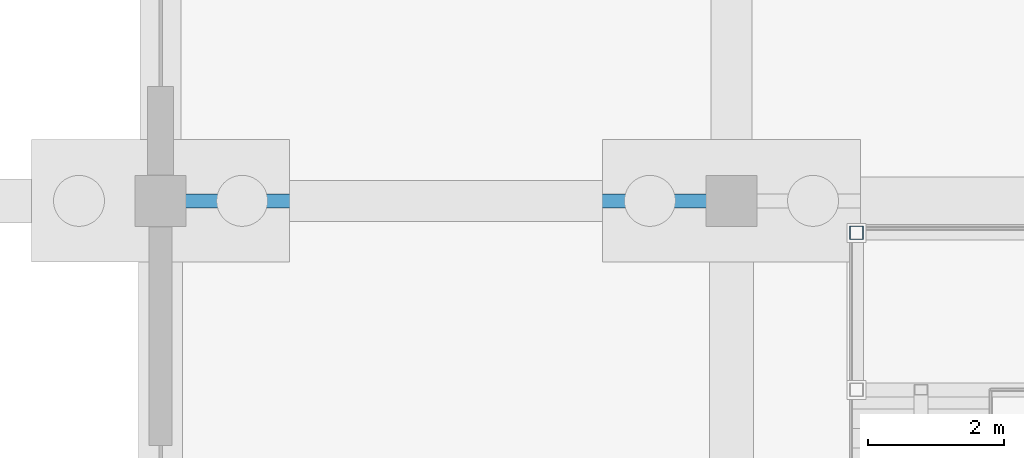
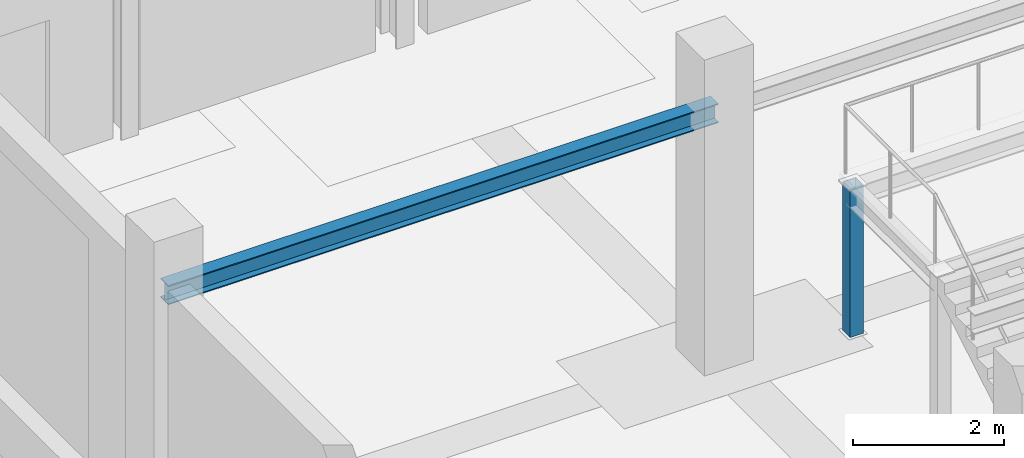
# One storey, part 32 of 119: 1 beam, 1 member.
"""IFC4 building model written with IfcOpenShell, lengths in metres."""

from ifc_helpers import new_model, si_unit, derived_unit, direction, frame, origin, origin_2d, place, context, subcontext, project, spatial, hollow_rectangle, i_section, extrude, material, material_profile, profile_set, type_object, element, save


model = new_model("IFC4")

# Units and contexts
model_context = context("Model", 3, precision=1e-05, world=origin(), true_north=direction((0.0, 1.0)))
body_context = subcontext(model_context, "Body", "Model", "MODEL_VIEW")
ifc_project = project(units=[si_unit("LENGTHUNIT", "METRE"), si_unit("AREAUNIT", "SQUARE_METRE"), si_unit("VOLUMEUNIT", "CUBIC_METRE"), si_unit("PLANEANGLEUNIT", "RADIAN"), si_unit("MASSUNIT", "GRAM", prefix="KILO"), derived_unit("THERMALTRANSMITTANCEUNIT", [(si_unit("MASSUNIT", "GRAM", prefix="KILO"), 1), (si_unit("TIMEUNIT", "SECOND"), -3), (si_unit("THERMODYNAMICTEMPERATUREUNIT", "KELVIN"), -1)])], contexts=[model_context])

# Site, building, storey
site_placement = place(None, origin())
site = spatial("IfcSite", under=ifc_project, at=site_placement, CompositionType="ELEMENT")
building_placement = place(site_placement, origin())
building = spatial("IfcBuilding", under=site, at=building_placement, Name="Makaiwela Harbour Ferry Terminal", CompositionType="ELEMENT")
storey_placement = place(building_placement, origin())
storey = spatial("IfcBuildingStorey", under=building, at=storey_placement, Name="L00", CompositionType="ELEMENT", Elevation=0.0)

# Beam
ifc_material_1 = material(Name="Steel ASTM A992 Grade 50", Category="steel")
ifc_material_profile_1 = material_profile(ifc_material_1, i_section(OverallWidth=0.205078125, OverallDepth=0.31005859375, WebThickness=0.009521484375, FlangeThickness=0.016357421875, at=origin_2d()), Name="W12X50")
ifc_profile_set_1 = profile_set([ifc_material_profile_1], Name="Steel ASTM A992 Grade 50")
beam_type = type_object("IfcBeamType", Name="STR-LNT-W12X50", PredefinedType="LINTEL", material=ifc_profile_set_1)
beam_placement = place(storey_placement, frame((63.0, 16.800048828125, 3.949951171875), z_axis=(1.0, 0.0, 0.0), x_axis=(0.0, 1.0, 0.0)))
element("IfcBeam", 1, at=beam_placement, inside=storey, type_object=beam_type, Name="Interior aisle lintel 2", PredefinedType="LINTEL", context=body_context, shape_type="SweptSolid", body=[
    extrude(i_section(OverallWidth=0.205078125, OverallDepth=0.31005859375, WebThickness=0.009521484375, FlangeThickness=0.016357421875, at=origin_2d()), origin(), (0.0, 0.0, 1.0), 8.39990234375),
])

# Member
ifc_material_2 = material(Name="Steel ASTM A500 Grade C", Category="steel")
ifc_material_profile_2 = material_profile(ifc_material_2, hollow_rectangle(XDim=0.202880859375, YDim=0.202880859375, WallThickness=0.01171875, at=origin_2d()), Name="HSS8X8X1/2")
ifc_profile_set_2 = profile_set([ifc_material_profile_2], Name="Steel ASTM A500 Grade C")
member_type = type_object("IfcMemberType", Name="STR-PST-HSS8", PredefinedType="POST", material=ifc_profile_set_2)
member_placement = place(storey_placement, frame((73.239990234375, 16.330078125, 0.0), z_axis=(0.0, 0.0, 1.0), x_axis=(1.0, 0.0, 0.0)))
element("IfcMember", 2, at=member_placement, inside=storey, type_object=member_type, Name="Stair Landing Post ST-07-L00-P3", PredefinedType="POST", context=body_context, shape_type="SweptSolid", body=[
    extrude(hollow_rectangle(XDim=0.202880859375, YDim=0.202880859375, WallThickness=0.01171875, at=origin_2d()), origin(), (0.0, 0.0, 1.0), 2.39990234375),
])

save(model, "model.ifc")
